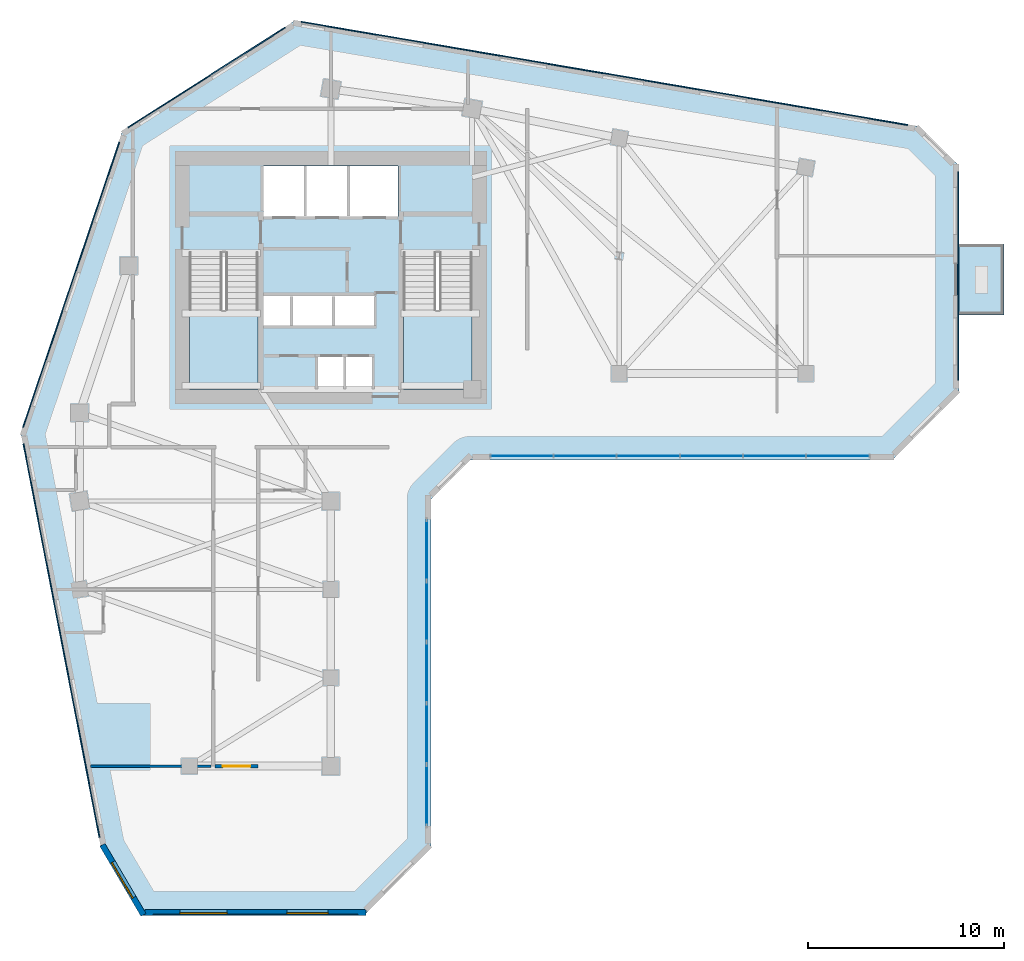
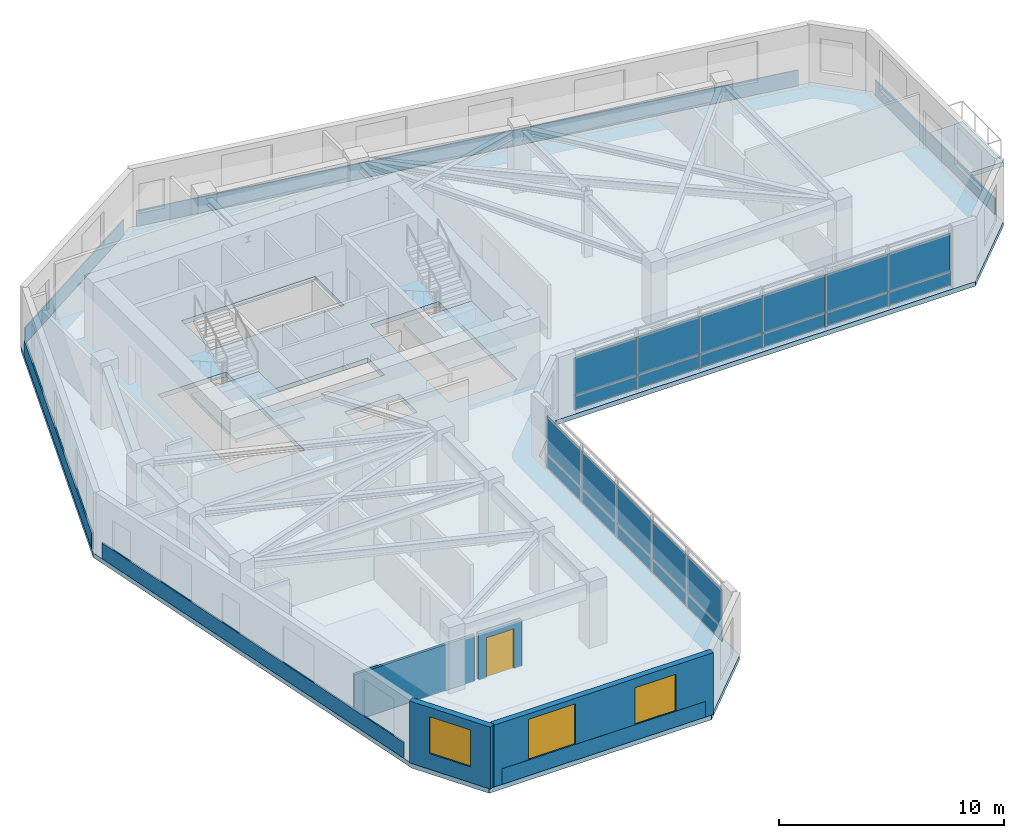
# One storey, part 4 of 13: 28 plates, 4 slabs, 4 walls, 3 windows, 1 door, 4 openings, 4 elements without a shape of their own.
"""IFC4 building model written with IfcOpenShell, lengths in metres."""

from ifc_helpers import new_model, si_unit, direction, frame, frame_2d, origin, place, context, subcontext, project, spatial, polyline, rectangle, outline, extrude, source, transform, mapped, material, layer, layer_set, type_object, element, fill, aggregate, save


model = new_model("IFC4")

# Units and contexts
model_context = context("Model", 3, precision=1e-05, world=origin(), true_north=direction((0.0, 1.0)))
body_context = subcontext(model_context, "Body", "Model", "MODEL_VIEW")
ifc_project = project(units=[si_unit("LENGTHUNIT", "METRE"), si_unit("AREAUNIT", "SQUARE_METRE"), si_unit("VOLUMEUNIT", "CUBIC_METRE"), si_unit("PLANEANGLEUNIT", "RADIAN"), si_unit("MASSUNIT", "GRAM", prefix="KILO")], contexts=[model_context])

# Site, building, storey
site_placement = place(None, origin())
site = spatial("IfcSite", under=ifc_project, at=site_placement, CompositionType="ELEMENT")
building_placement = place(site_placement, origin())
building = spatial("IfcBuilding", under=site, at=building_placement, Name="Calvemar Wedge Station Tower", CompositionType="ELEMENT")
storey_placement = place(building_placement, frame((0.0, 0.0, 132.199951171875)))
storey = spatial("IfcBuildingStorey", under=building, at=storey_placement, Name="L32", CompositionType="ELEMENT", Elevation=132.199951171875)

# Curtain wall, plates
ifc_material_1 = material(Name="Anodised aluminium 6063-T6", Category="aluminium")
curtain_wall_type = type_object("IfcCurtainWallType", Name="CW2", PredefinedType="NOTDEFINED", material=ifc_material_1)
curtain_wall_1_placement = place(storey_placement, origin())
curtain_wall_1 = element("IfcCurtainWall", 1, at=curtain_wall_1_placement, inside=storey, type_object=curtain_wall_type, Name="Storey L32 CW2 Recessed Unitised Curtain Wall 4", PredefinedType="NOTDEFINED")
ifc_material_2 = material(Name="Low-E laminated insulated glass", Category="glass")
ifc_layer_1 = layer(ifc_material_2, 0.028076171875)
ifc_layer_set_1 = layer_set([ifc_layer_1], Name="Low-E laminated insulated glass")
plate_type_1 = type_object("IfcPlateType", Name="CW2-GLZ", PredefinedType="CURTAIN_PANEL", material=ifc_layer_set_1)
plate_1_placement = place(storey_placement, frame((28.68603515625, 11.97998046875, 0.8701171875), z_axis=(0.0, 0.0, 1.0), x_axis=(0.0, 1.0, 0.0)))
plate_1 = element("IfcPlate", 2, at=plate_1_placement, type_object=plate_type_1, Name="CW2 vision glass panel 1", PredefinedType="CURTAIN_PANEL", context=body_context, shape_type="SweptSolid", body=[
    extrude(rectangle(XDim=3.08251953125, YDim=0.028076171875, at=frame_2d((1.541259765625, 0.0))), origin(), (0.0, 0.0, 1.0), 2.010009765625),
])
plate_2_placement = place(storey_placement, frame((28.68603515625, 15.098388671875, 0.8701171875), z_axis=(0.0, 0.0, 1.0), x_axis=(0.0, 1.0, 0.0)))
plate_2 = element("IfcPlate", 3, at=plate_2_placement, type_object=plate_type_1, Name="CW2 vision glass panel 2", PredefinedType="CURTAIN_PANEL", context=body_context, shape_type="SweptSolid", body=[
    extrude(rectangle(XDim=3.08251953125, YDim=0.028076171875, at=frame_2d((1.541259765625, 0.0))), origin(), (0.0, 0.0, 1.0), 2.010009765625),
])
plate_3_placement = place(storey_placement, frame((28.68603515625, 18.216796875, 0.8701171875), z_axis=(0.0, 0.0, 1.0), x_axis=(0.0, 1.0, 0.0)))
plate_3 = element("IfcPlate", 4, at=plate_3_placement, type_object=plate_type_1, Name="CW2 vision glass panel 3", PredefinedType="CURTAIN_PANEL", context=body_context, shape_type="SweptSolid", body=[
    extrude(rectangle(XDim=3.08251953125, YDim=0.028076171875, at=frame_2d((1.541259765625, 0.0))), origin(), (0.0, 0.0, 1.0), 2.010009765625),
])
plate_4_placement = place(storey_placement, frame((28.68603515625, 21.335205078125, 0.8701171875), z_axis=(0.0, 0.0, 1.0), x_axis=(0.0, 1.0, 0.0)))
plate_4 = element("IfcPlate", 5, at=plate_4_placement, type_object=plate_type_1, Name="CW2 vision glass panel 4", PredefinedType="CURTAIN_PANEL", context=body_context, shape_type="SweptSolid", body=[
    extrude(rectangle(XDim=3.08251953125, YDim=0.028076171875, at=frame_2d((1.541259765625, 0.0))), origin(), (0.0, 0.0, 1.0), 2.010009765625),
])
plate_5_placement = place(storey_placement, frame((28.68603515625, 24.45361328125, 0.8701171875), z_axis=(0.0, 0.0, 1.0), x_axis=(0.0, 1.0, 0.0)))
plate_5 = element("IfcPlate", 6, at=plate_5_placement, type_object=plate_type_1, Name="CW2 vision glass panel 5", PredefinedType="CURTAIN_PANEL", context=body_context, shape_type="SweptSolid", body=[
    extrude(rectangle(XDim=3.08251953125, YDim=0.028076171875, at=frame_2d((1.541259765625, 0.0))), origin(), (0.0, 0.0, 1.0), 2.010009765625),
])

curtain_wall_2_placement = place(storey_placement, origin())
curtain_wall_2 = element("IfcCurtainWall", 7, at=curtain_wall_2_placement, inside=storey, type_object=curtain_wall_type, Name="Storey L32 CW2 Recessed Unitised Curtain Wall 6", PredefinedType="NOTDEFINED")
plate_6_placement = place(storey_placement, frame((31.951904296875, 30.802001953125, 0.8701171875), z_axis=(0.0, 0.0, 1.0), x_axis=(1.0, 0.0, 0.0)))
plate_6 = element("IfcPlate", 8, at=plate_6_placement, type_object=plate_type_1, Name="CW2 vision glass panel 1", PredefinedType="CURTAIN_PANEL", context=body_context, shape_type="SweptSolid", body=[
    extrude(rectangle(XDim=3.181396484375, YDim=0.028076171875, at=frame_2d((1.5908203125, 0.0))), origin(), (0.0, 0.0, 1.0), 2.010009765625),
])
plate_7_placement = place(storey_placement, frame((35.169189453125, 30.802001953125, 0.8701171875), z_axis=(0.0, 0.0, 1.0), x_axis=(1.0, 0.0, 0.0)))
plate_7 = element("IfcPlate", 9, at=plate_7_placement, type_object=plate_type_1, Name="CW2 vision glass panel 2", PredefinedType="CURTAIN_PANEL", context=body_context, shape_type="SweptSolid", body=[
    extrude(rectangle(XDim=3.181396484375, YDim=0.028076171875, at=frame_2d((1.5908203125, 0.0))), origin(), (0.0, 0.0, 1.0), 2.010009765625),
])
plate_8_placement = place(storey_placement, frame((38.38671875, 30.802001953125, 0.8701171875), z_axis=(0.0, 0.0, 1.0), x_axis=(1.0, 0.0, 0.0)))
plate_8 = element("IfcPlate", 10, at=plate_8_placement, type_object=plate_type_1, Name="CW2 vision glass panel 3", PredefinedType="CURTAIN_PANEL", context=body_context, shape_type="SweptSolid", body=[
    extrude(rectangle(XDim=3.18115234375, YDim=0.028076171875, at=frame_2d((1.590576171875, 0.0))), origin(), (0.0, 0.0, 1.0), 2.010009765625),
])
plate_9_placement = place(storey_placement, frame((41.60400390625, 30.802001953125, 0.8701171875), z_axis=(0.0, 0.0, 1.0), x_axis=(1.0, 0.0, 0.0)))
plate_9 = element("IfcPlate", 11, at=plate_9_placement, type_object=plate_type_1, Name="CW2 vision glass panel 4", PredefinedType="CURTAIN_PANEL", context=body_context, shape_type="SweptSolid", body=[
    extrude(rectangle(XDim=3.18115234375, YDim=0.028076171875, at=frame_2d((1.590576171875, 0.0))), origin(), (0.0, 0.0, 1.0), 2.010009765625),
])
plate_10_placement = place(storey_placement, frame((44.8212890625, 30.802001953125, 0.8701171875), z_axis=(0.0, 0.0, 1.0), x_axis=(1.0, 0.0, 0.0)))
plate_10 = element("IfcPlate", 12, at=plate_10_placement, type_object=plate_type_1, Name="CW2 vision glass panel 5", PredefinedType="CURTAIN_PANEL", context=body_context, shape_type="SweptSolid", body=[
    extrude(rectangle(XDim=3.181396484375, YDim=0.028076171875, at=frame_2d((1.5908203125, 0.0))), origin(), (0.0, 0.0, 1.0), 2.010009765625),
])
plate_11_placement = place(storey_placement, frame((48.03857421875, 30.802001953125, 0.8701171875), z_axis=(0.0, 0.0, 1.0), x_axis=(1.0, 0.0, 0.0)))
plate_11 = element("IfcPlate", 13, at=plate_11_placement, type_object=plate_type_1, Name="CW2 vision glass panel 6", PredefinedType="CURTAIN_PANEL", context=body_context, shape_type="SweptSolid", body=[
    extrude(rectangle(XDim=3.181396484375, YDim=0.028076171875, at=frame_2d((1.5908203125, 0.0))), origin(), (0.0, 0.0, 1.0), 2.010009765625),
])

# Plate
ifc_material_3 = material(Name="Oxidized bronze aluminium spandrel panel 5005-H24", Category="aluminium")
ifc_layer_2 = layer(ifc_material_3, 0.0400390625)
ifc_layer_set_2 = layer_set([ifc_layer_2], Name="Oxidized bronze aluminium spandrel panel 5005-H24")
plate_type_2 = type_object("IfcPlateType", Name="CW2-SPD", PredefinedType="SHEET", material=ifc_layer_set_2)
plate_12_placement = place(storey_placement, frame((28.68603515625, 11.97998046875, 0.080078125), z_axis=(0.0, 0.0, 1.0), x_axis=(0.0, 1.0, 0.0)))
plate_12 = element("IfcPlate", 14, at=plate_12_placement, type_object=plate_type_2, Name="CW2 bronze spandrel panel 1", PredefinedType="SHEET", context=body_context, shape_type="SweptSolid", body=[
    extrude(rectangle(XDim=3.08251953125, YDim=0.0400390625, at=frame_2d((1.541259765625, 0.0))), origin(), (0.0, 0.0, 1.0), 0.75),
])

plate_13_placement = place(storey_placement, frame((28.68603515625, 15.098388671875, 0.080078125), z_axis=(0.0, 0.0, 1.0), x_axis=(0.0, 1.0, 0.0)))
plate_13 = element("IfcPlate", 15, at=plate_13_placement, type_object=plate_type_2, Name="CW2 bronze spandrel panel 2", PredefinedType="SHEET", context=body_context, shape_type="SweptSolid", body=[
    extrude(rectangle(XDim=3.08251953125, YDim=0.0400390625, at=frame_2d((1.541259765625, 0.0))), origin(), (0.0, 0.0, 1.0), 0.75),
])

plate_14_placement = place(storey_placement, frame((28.68603515625, 18.216796875, 0.080078125), z_axis=(0.0, 0.0, 1.0), x_axis=(0.0, 1.0, 0.0)))
plate_14 = element("IfcPlate", 16, at=plate_14_placement, type_object=plate_type_2, Name="CW2 bronze spandrel panel 3", PredefinedType="SHEET", context=body_context, shape_type="SweptSolid", body=[
    extrude(rectangle(XDim=3.08251953125, YDim=0.0400390625, at=frame_2d((1.541259765625, 0.0))), origin(), (0.0, 0.0, 1.0), 0.75),
])

plate_15_placement = place(storey_placement, frame((28.68603515625, 21.335205078125, 0.080078125), z_axis=(0.0, 0.0, 1.0), x_axis=(0.0, 1.0, 0.0)))
plate_15 = element("IfcPlate", 17, at=plate_15_placement, type_object=plate_type_2, Name="CW2 bronze spandrel panel 4", PredefinedType="SHEET", context=body_context, shape_type="SweptSolid", body=[
    extrude(rectangle(XDim=3.08251953125, YDim=0.0400390625, at=frame_2d((1.541259765625, 0.0))), origin(), (0.0, 0.0, 1.0), 0.75),
])

plate_16_placement = place(storey_placement, frame((28.68603515625, 24.45361328125, 0.080078125), z_axis=(0.0, 0.0, 1.0), x_axis=(0.0, 1.0, 0.0)))
plate_16 = element("IfcPlate", 18, at=plate_16_placement, type_object=plate_type_2, Name="CW2 bronze spandrel panel 5", PredefinedType="SHEET", context=body_context, shape_type="SweptSolid", body=[
    extrude(rectangle(XDim=3.08251953125, YDim=0.0400390625, at=frame_2d((1.541259765625, 0.0))), origin(), (0.0, 0.0, 1.0), 0.75),
])

aggregate(curtain_wall_1, [plate_12, plate_1, plate_13, plate_2, plate_14, plate_3, plate_15, plate_4, plate_16, plate_5])

plate_17_placement = place(storey_placement, frame((31.951904296875, 30.802001953125, 0.080078125), z_axis=(0.0, 0.0, 1.0), x_axis=(1.0, 0.0, 0.0)))
plate_17 = element("IfcPlate", 19, at=plate_17_placement, type_object=plate_type_2, Name="CW2 bronze spandrel panel 1", PredefinedType="SHEET", context=body_context, shape_type="SweptSolid", body=[
    extrude(rectangle(XDim=3.181396484375, YDim=0.0400390625, at=frame_2d((1.5908203125, 0.0))), origin(), (0.0, 0.0, 1.0), 0.75),
])

plate_18_placement = place(storey_placement, frame((35.169189453125, 30.802001953125, 0.080078125), z_axis=(0.0, 0.0, 1.0), x_axis=(1.0, 0.0, 0.0)))
plate_18 = element("IfcPlate", 20, at=plate_18_placement, type_object=plate_type_2, Name="CW2 bronze spandrel panel 2", PredefinedType="SHEET", context=body_context, shape_type="SweptSolid", body=[
    extrude(rectangle(XDim=3.181396484375, YDim=0.0400390625, at=frame_2d((1.5908203125, 0.0))), origin(), (0.0, 0.0, 1.0), 0.75),
])

plate_19_placement = place(storey_placement, frame((38.38671875, 30.802001953125, 0.080078125), z_axis=(0.0, 0.0, 1.0), x_axis=(1.0, 0.0, 0.0)))
plate_19 = element("IfcPlate", 21, at=plate_19_placement, type_object=plate_type_2, Name="CW2 bronze spandrel panel 3", PredefinedType="SHEET", context=body_context, shape_type="SweptSolid", body=[
    extrude(rectangle(XDim=3.18115234375, YDim=0.0400390625, at=frame_2d((1.590576171875, 0.0))), origin(), (0.0, 0.0, 1.0), 0.75),
])

plate_20_placement = place(storey_placement, frame((41.60400390625, 30.802001953125, 0.080078125), z_axis=(0.0, 0.0, 1.0), x_axis=(1.0, 0.0, 0.0)))
plate_20 = element("IfcPlate", 22, at=plate_20_placement, type_object=plate_type_2, Name="CW2 bronze spandrel panel 4", PredefinedType="SHEET", context=body_context, shape_type="SweptSolid", body=[
    extrude(rectangle(XDim=3.18115234375, YDim=0.0400390625, at=frame_2d((1.590576171875, 0.0))), origin(), (0.0, 0.0, 1.0), 0.75),
])

plate_21_placement = place(storey_placement, frame((44.8212890625, 30.802001953125, 0.080078125), z_axis=(0.0, 0.0, 1.0), x_axis=(1.0, 0.0, 0.0)))
plate_21 = element("IfcPlate", 23, at=plate_21_placement, type_object=plate_type_2, Name="CW2 bronze spandrel panel 5", PredefinedType="SHEET", context=body_context, shape_type="SweptSolid", body=[
    extrude(rectangle(XDim=3.181396484375, YDim=0.0400390625, at=frame_2d((1.5908203125, 0.0))), origin(), (0.0, 0.0, 1.0), 0.75),
])

plate_22_placement = place(storey_placement, frame((48.03857421875, 30.802001953125, 0.080078125), z_axis=(0.0, 0.0, 1.0), x_axis=(1.0, 0.0, 0.0)))
plate_22 = element("IfcPlate", 24, at=plate_22_placement, type_object=plate_type_2, Name="CW2 bronze spandrel panel 6", PredefinedType="SHEET", context=body_context, shape_type="SweptSolid", body=[
    extrude(rectangle(XDim=3.181396484375, YDim=0.0400390625, at=frame_2d((1.5908203125, 0.0))), origin(), (0.0, 0.0, 1.0), 0.75),
])

aggregate(curtain_wall_2, [plate_17, plate_6, plate_18, plate_7, plate_19, plate_8, plate_20, plate_9, plate_21, plate_10, plate_22, plate_11])

# Plates
ifc_material_4 = material(Name="Precast concrete C45", Category="concrete")
ifc_layer_3 = layer(ifc_material_4, 0.06494140625)
ifc_layer_set_3 = layer_set([ifc_layer_3], Name="Precast concrete C45")
plate_type_3 = type_object("IfcPlateType", Name="PL-GFRC-FIN", PredefinedType="USERDEFINED", material=ifc_layer_set_3)
plate_23_placement = place(storey_placement, frame((14.74169921875, 7.429931640625, 0.0), z_axis=(0.0, 0.0, 1.0), x_axis=(1.0, 0.0, 0.0)))
element("IfcPlate", 25, at=plate_23_placement, inside=storey, type_object=plate_type_3, Name="Storey L32 Oxidized-Bronze GFRC Spandrel Cladding 2", ObjectType="CLADDING PANEL", PredefinedType="USERDEFINED", context=body_context, shape_type="SweptSolid", body=[
    extrude(rectangle(XDim=10.442138671875, YDim=0.06494140625, at=frame_2d((5.22119140625, 0.0))), origin(), (0.0, 0.0, 1.0), 0.85009765625),
])
plate_24_placement = place(storey_placement, frame((55.77001953125, 34.6494140625, 0.0), z_axis=(0.0, 0.0, 1.0), x_axis=(0.0, 1.0, 0.0)))
element("IfcPlate", 26, at=plate_24_placement, inside=storey, type_object=plate_type_3, Name="Storey L32 Oxidized-Bronze GFRC Spandrel Cladding 8", ObjectType="CLADDING PANEL", PredefinedType="USERDEFINED", context=body_context, shape_type="SweptSolid", body=[
    extrude(rectangle(XDim=10.63037109375, YDim=0.06494140625, at=frame_2d((5.315185546875, 0.0))), origin(), (0.0, 0.0, 1.0), 0.85009765625),
])
plate_25_placement = place(storey_placement, frame((53.186767578125, 47.666015625, 0.0), z_axis=(0.0, 0.0, 1.0), x_axis=(-0.985847129316, 0.167646764417, 0.0)))
element("IfcPlate", 27, at=plate_25_placement, inside=storey, type_object=plate_type_3, Name="Storey L32 Oxidized-Bronze GFRC Spandrel Cladding 10", ObjectType="CLADDING PANEL", PredefinedType="USERDEFINED", context=body_context, shape_type="SweptSolid", body=[
    extrude(rectangle(XDim=31.331787109375, YDim=0.06494140625, at=frame_2d((15.666015625, 0.0))), origin(), (0.0, 0.0, 1.0), 0.85009765625),
])
plate_26_placement = place(storey_placement, frame((21.472900390625, 52.62890625, 0.0), z_axis=(0.0, 0.0, 1.0), x_axis=(-0.843667847652, -0.536865497903, 0.0)))
element("IfcPlate", 28, at=plate_26_placement, inside=storey, type_object=plate_type_3, Name="Storey L32 Oxidized-Bronze GFRC Spandrel Cladding 11", ObjectType="CLADDING PANEL", PredefinedType="USERDEFINED", context=body_context, shape_type="SweptSolid", body=[
    extrude(rectangle(XDim=9.48388671875, YDim=0.06494140625, at=frame_2d((4.741943359375, 0.0))), origin(), (0.0, 0.0, 1.0), 0.85009765625),
])
plate_27_placement = place(storey_placement, frame((13.02685546875, 46.793212890625, 0.0), z_axis=(0.0, 0.0, 1.0), x_axis=(-0.319922287139, -0.947443787352, 0.0)))
element("IfcPlate", 29, at=plate_27_placement, inside=storey, type_object=plate_type_3, Name="Storey L32 Oxidized-Bronze GFRC Spandrel Cladding 12", ObjectType="CLADDING PANEL", PredefinedType="USERDEFINED", context=body_context, shape_type="SweptSolid", body=[
    extrude(rectangle(XDim=15.334228515625, YDim=0.06494140625, at=frame_2d((7.6669921875, 0.0))), origin(), (0.0, 0.0, 1.0), 0.85009765625),
])
plate_28_placement = place(storey_placement, frame((8.14306640625, 31.418212890625, 0.0), z_axis=(0.0, 0.0, 1.0), x_axis=(0.189692918469, -0.981843468524, 0.0)))
element("IfcPlate", 30, at=plate_28_placement, inside=storey, type_object=plate_type_3, Name="Storey L32 Oxidized-Bronze GFRC Spandrel Cladding 13", ObjectType="CLADDING PANEL", PredefinedType="USERDEFINED", context=body_context, shape_type="SweptSolid", body=[
    extrude(rectangle(XDim=20.42138671875, YDim=0.06494140625, at=frame_2d((10.210693359375, 0.0))), origin(), (0.0, 0.0, 1.0), 0.85009765625),
])

# Stair, slab
ifc_material_5 = material(Name="Concrete C45", Category="concrete")
stair_type = type_object("IfcStairType", Name="ST-TYPE-3600", PredefinedType="HALF_TURN_STAIR", material=ifc_material_5)
stair_1_placement = place(storey_placement, origin())
stair_1 = element("IfcStair", 31, at=stair_1_placement, inside=storey, type_object=stair_type, Name="L32 Pressurized Core Exit Stair ST-C1", PredefinedType="HALF_TURN_STAIR")
ifc_layer_4 = layer(ifc_material_5, 0.199951171875)
ifc_layer_set_4 = layer_set([ifc_layer_4], Name="Concrete C45")
slab_type_1 = type_object("IfcSlabType", Name="SL-STAIR-LND-200", PredefinedType="LANDING", material=ifc_layer_set_4)
slab_1_placement = place(storey_placement, frame((0.0, 0.0, 1.60009765625)))
slab_1 = element("IfcSlab", 32, at=slab_1_placement, type_object=slab_type_1, Name="ST-C1 landing 1", PredefinedType="LANDING", context=body_context, shape_type="SweptSolid", body=[
    extrude(outline(polyline([(16.60009765625, 38.25), (16.60009765625, 34.199951171875), (20.10009765625, 34.199951171875), (20.10009765625, 38.25), (16.60009765625, 38.25)])), origin(), (0.0, 0.0, 1.0), 0.199951171875),
])
aggregate(stair_1, [slab_1])

stair_2_placement = place(storey_placement, origin())
stair_2 = element("IfcStair", 33, at=stair_2_placement, inside=storey, type_object=stair_type, Name="L32 Pressurized Core Exit Stair ST-C2", PredefinedType="HALF_TURN_STAIR")
slab_2_placement = place(storey_placement, frame((0.0, 0.0, 1.60009765625)))
slab_2 = element("IfcSlab", 34, at=slab_2_placement, type_object=slab_type_1, Name="ST-C2 landing 1", PredefinedType="LANDING", context=body_context, shape_type="SweptSolid", body=[
    extrude(outline(polyline([(27.5, 38.25), (27.5, 34.199951171875), (31.0, 34.199951171875), (31.0, 38.25), (27.5, 38.25)])), origin(), (0.0, 0.0, 1.0), 0.199951171875),
])
aggregate(stair_2, [slab_2])

# Slabs
ifc_layer_5 = layer(ifc_material_5, 0.239990234375)
ifc_layer_set_5 = layer_set([ifc_layer_5], Name="Concrete C45")
slab_type_2 = type_object("IfcSlabType", Name="SL-TERR-240", PredefinedType="FLOOR", material=ifc_layer_set_5)
slab_3_placement = place(storey_placement, frame((0.0, 0.0, -0.239990234375)))
element("IfcSlab", 35, at=slab_3_placement, inside=storey, type_object=slab_type_2, Name="Storey L32 Planted Spiral Terrace Slab", PredefinedType="FLOOR", context=body_context, shape_type="SweptSolid", body=[
    extrude(outline(polyline([(55.800048828125, 37.991943359375), (58.10009765625, 37.991943359375), (58.10009765625, 41.592041015625), (55.800048828125, 41.592041015625), (55.800048828125, 37.991943359375)])), origin(), (0.0, 0.0, 1.0), 0.239990234375),
])
ifc_material_6 = material(Name="Concrete C50", Category="concrete")
ifc_layer_6 = layer(ifc_material_6, 0.25)
ifc_layer_set_6 = layer_set([ifc_layer_6], Name="Concrete C50")
slab_type_3 = type_object("IfcSlabType", Name="SL-TYP-250", PredefinedType="FLOOR", material=ifc_layer_set_6)
slab_4_placement = place(storey_placement, frame((0.0, 0.0, -0.25)))
element("IfcSlab", 36, at=slab_4_placement, inside=storey, type_object=slab_type_3, Name="Storey L32 Structural Floor Slab", PredefinedType="FLOOR", context=body_context, shape_type="SweptSolid", body=[
    extrude(outline(polyline([(8.0, 32.0), (12.095947265625, 10.800048828125), (14.095947265625, 7.39990234375), (25.49609375, 7.39990234375), (28.89599609375, 10.800048828125), (28.89599609375, 28.592041015625), (30.89599609375, 30.592041015625), (52.39990234375, 30.592041015625), (55.800048828125, 33.991943359375), (55.800048828125, 45.592041015625), (53.800048828125, 47.592041015625), (22.0, 53.0), (13.199951171875, 47.39990234375), (8.0, 32.0)]), holes=[polyline([(24.52001953125, 35.85009765625), (24.510009765625, 35.85009765625), (23.1201171875, 35.85009765625), (23.1201171875, 34.219970703125), (24.510009765625, 34.219970703125), (24.52001953125, 34.219970703125), (25.909912109375, 34.219970703125), (25.909912109375, 35.85009765625), (24.52001953125, 35.85009765625)]), polyline([(16.60009765625, 34.199951171875), (20.10009765625, 34.199951171875), (20.10009765625, 41.14990234375), (16.60009765625, 41.14990234375), (16.60009765625, 34.199951171875)]), polyline([(27.5, 34.199951171875), (31.0, 34.199951171875), (31.0, 41.14990234375), (27.5, 41.14990234375), (27.5, 34.199951171875)]), polyline([(21.800048828125, 38.949951171875), (21.7900390625, 38.949951171875), (20.3798828125, 38.949951171875), (20.3798828125, 37.449951171875), (21.7900390625, 37.449951171875), (21.800048828125, 37.449951171875), (23.929931640625, 37.449951171875), (23.93994140625, 37.449951171875), (26.080078125, 37.449951171875), (26.080078125, 38.949951171875), (23.93994140625, 38.949951171875), (23.929931640625, 38.949951171875), (21.800048828125, 38.949951171875)]), polyline([(27.219970703125, 43.0), (27.219970703125, 45.580078125), (20.3798828125, 45.580078125), (20.3798828125, 43.0), (27.219970703125, 43.0)])]), origin(), (0.0, 0.0, 1.0), 0.25),
])

# Wall, opening, door
ifc_material_7 = material(Name="Double-stud fire-rated corridor partition")
ifc_layer_7 = layer(ifc_material_7, 0.179931640625)
ifc_layer_set_7 = layer_set([ifc_layer_7], Name="Double-stud fire-rated corridor partition")
wall_type_1 = type_object("IfcWallType", Name="W-CORR-180", PredefinedType="PARTITIONING", material=ifc_layer_set_7)
wall_1_placement = place(storey_placement, frame((20.10009765625, 15.0, 0.0), z_axis=(0.0, 0.0, 1.0), x_axis=(-1.0, 0.0, 0.0)))
wall_1 = element("IfcWall", 37, at=wall_1_placement, inside=storey, type_object=wall_type_1, Name="Storey L32 Interior Partition WL-L32-026", PredefinedType="PARTITIONING", context=body_context, shape_type="SweptSolid", body=[
    extrude(rectangle(XDim=2.2060546875, YDim=0.179931640625, at=frame_2d((1.10302734375, 0.0))), origin(), (0.0, 0.0, 1.0), 2.491943359375),
])
shared_shape_1 = source(origin(), body_context, "Body", "SweptSolid", [
    extrude(rectangle(XDim=1.39990234375, YDim=2.14990234375, at=frame_2d((0.699951171875, 1.074951171875))), frame((0.0, 0.10009765625, 0.0), z_axis=(0.0, -1.0, 0.0), x_axis=(1.0, 0.0, 0.0)), (0.0, 0.0, 1.0), 0.199951171875),
])
opening_1_placement = place(wall_1_placement, frame((0.403076171875, 0.0, 0.0)))
opening_1 = element("IfcOpeningElement", 38, at=opening_1_placement, cuts=wall_1, Name="Opening DD-140", PredefinedType="OPENING", context=body_context, shape_type="MappedRepresentation", body=[
    mapped(shared_shape_1, transform((0.0, 0.0, 0.0), scale=1.0)),
])
ifc_material_8 = material(Name="Double-leaf corridor acoustic fire door EI 60")
door_type = type_object("IfcDoorType", Name="DR-DBL-1400", OperationType="DOUBLE_DOOR_SINGLE_SWING", PredefinedType="DOOR", material=ifc_material_8)
shared_shape_2 = source(origin(), body_context, "Body", "SweptSolid", [
    extrude(rectangle(XDim=1.39990234375, YDim=2.14990234375, at=frame_2d((0.699951171875, 1.074951171875))), frame((0.0, 0.02490234375, 0.0), z_axis=(0.0, -1.0, 0.0), x_axis=(1.0, 0.0, 0.0)), (0.0, 0.0, 1.0), 0.050048828125),
])
door_placement = place(opening_1_placement, origin())
door = element("IfcDoor", 39, at=door_placement, inside=storey, type_object=door_type, Name="L32 Executive Sky Lounge Door", OperationType="SINGLE_SWING_RIGHT", OverallHeight=2.14990234375, OverallWidth=1.39990234375, PredefinedType="DOOR", context=body_context, shape_type="MappedRepresentation", body=[
    mapped(shared_shape_2, transform((0.0, 0.0, 0.0), scale=1.0)),
])
fill(opening_1, door)

# Wall, opening, window
ifc_layer_8 = layer(ifc_material_4, 0.300048828125)
ifc_layer_set_8 = layer_set([ifc_layer_8], Name="Precast concrete C45")
wall_type_2 = type_object("IfcWallType", Name="W-EXT-GFRC-300", PredefinedType="SOLIDWALL", material=ifc_layer_set_8)
wall_2_placement = place(storey_placement, frame((12.162353515625, 10.983154296875, 0.0), z_axis=(0.0, 0.0, 1.0), x_axis=(0.506996893234, -0.861947881401, 0.0)))
wall_2 = element("IfcWall", 40, at=wall_2_placement, inside=storey, type_object=wall_type_2, Name="Storey L32 Bronze GFRC Exterior Wall 1", PredefinedType="SOLIDWALL", context=body_context, shape_type="SweptSolid", body=[
    extrude(rectangle(XDim=4.133056640625, YDim=0.300048828125, at=frame_2d((2.06640625, 0.0))), origin(), (0.0, 0.0, 1.0), 3.35009765625),
])
shared_shape_3 = source(origin(), body_context, "Body", "SweptSolid", [
    extrude(rectangle(XDim=2.10009765625, YDim=2.0, at=frame_2d((1.050048828125, 1.0))), frame((0.0, 0.16015625, 0.0), z_axis=(0.0, -1.0, 0.0), x_axis=(1.0, 0.0, 0.0)), (0.0, 0.0, 1.0), 0.320068359375),
])
opening_2_placement = place(wall_2_placement, frame((1.01708984375, 0.0, 0.85009765625)))
opening_2 = element("IfcOpeningElement", 41, at=opening_2_placement, cuts=wall_2, Name="Opening W4", PredefinedType="OPENING", context=body_context, shape_type="MappedRepresentation", body=[
    mapped(shared_shape_3, transform((0.0, 0.0, 0.0), scale=1.0)),
])
window_type_1 = type_object("IfcWindowType", Name="WIN-EXT-4", PartitioningType="SINGLE_PANEL", PredefinedType="WINDOW", material=ifc_material_2)
shared_shape_4 = source(origin(), body_context, "Body", "SweptSolid", [
    extrude(rectangle(XDim=2.10009765625, YDim=2.0, at=frame_2d((1.050048828125, 1.0))), frame((0.0, -0.014892578125, 0.0), z_axis=(0.0, -1.0, 0.0), x_axis=(1.0, 0.0, 0.0)), (0.0, 0.0, 1.0), 0.06005859375),
])
window_1_placement = place(opening_2_placement, origin())
window_1 = element("IfcWindow", 42, at=window_1_placement, inside=storey, type_object=window_type_1, Name="Storey L32 Recessed Window 1.1", OverallHeight=2.0, OverallWidth=2.10009765625, PartitioningType="SINGLE_PANEL", PredefinedType="WINDOW", context=body_context, shape_type="MappedRepresentation", body=[
    mapped(shared_shape_4, transform((0.0, 0.0, 0.0), scale=1.0)),
])
fill(opening_2, window_1)

# Wall, openings, windows
wall_3_placement = place(storey_placement, frame((14.341796875, 7.550048828125, 0.0), z_axis=(0.0, 0.0, 1.0), x_axis=(1.0, 0.0, 0.0)))
wall_3 = element("IfcWall", 43, at=wall_3_placement, inside=storey, type_object=wall_type_2, Name="Storey L32 Bronze GFRC Exterior Wall 2", PredefinedType="SOLIDWALL", context=body_context, shape_type="SweptSolid", body=[
    extrude(rectangle(XDim=11.2421875, YDim=0.300048828125, at=frame_2d((5.62109375, 0.0))), origin(), (0.0, 0.0, 1.0), 3.35009765625),
])
shared_shape_5 = source(origin(), body_context, "Body", "SweptSolid", [
    extrude(rectangle(XDim=2.39990234375, YDim=2.199951171875, at=frame_2d((1.199951171875, 1.10009765625))), frame((0.0, 0.16015625, 0.0), z_axis=(0.0, -1.0, 0.0), x_axis=(1.0, 0.0, 0.0)), (0.0, 0.0, 1.0), 0.320068359375),
])
opening_3_placement = place(wall_3_placement, frame((1.77099609375, 0.0, 0.85009765625)))
opening_3 = element("IfcOpeningElement", 44, at=opening_3_placement, cuts=wall_3, Name="Opening W1", PredefinedType="OPENING", context=body_context, shape_type="MappedRepresentation", body=[
    mapped(shared_shape_5, transform((0.0, 0.0, 0.0), scale=1.0)),
])
opening_4_placement = place(wall_3_placement, frame((7.221923828125, 0.0, 0.85009765625)))
opening_4 = element("IfcOpeningElement", 45, at=opening_4_placement, cuts=wall_3, Name="Opening W4", PredefinedType="OPENING", context=body_context, shape_type="MappedRepresentation", body=[
    mapped(shared_shape_3, transform((0.0, 0.0, 0.0), scale=1.0)),
])
window_2_placement = place(opening_4_placement, origin())
window_2 = element("IfcWindow", 46, at=window_2_placement, inside=storey, type_object=window_type_1, Name="Storey L32 Recessed Window 2.2", OverallHeight=2.0, OverallWidth=2.10009765625, PartitioningType="SINGLE_PANEL", PredefinedType="WINDOW", context=body_context, shape_type="MappedRepresentation", body=[
    mapped(shared_shape_4, transform((0.0, 0.0, 0.0), scale=1.0)),
])
fill(opening_4, window_2)
window_type_2 = type_object("IfcWindowType", Name="WIN-EXT-1", PartitioningType="SINGLE_PANEL", PredefinedType="WINDOW", material=ifc_material_2)
shared_shape_6 = source(origin(), body_context, "Body", "SweptSolid", [
    extrude(rectangle(XDim=2.39990234375, YDim=2.199951171875, at=frame_2d((1.199951171875, 1.10009765625))), frame((0.0, -0.014892578125, 0.0), z_axis=(0.0, -1.0, 0.0), x_axis=(1.0, 0.0, 0.0)), (0.0, 0.0, 1.0), 0.06005859375),
])
window_3_placement = place(opening_3_placement, origin())
window_3 = element("IfcWindow", 47, at=window_3_placement, inside=storey, type_object=window_type_2, Name="Storey L32 Recessed Window 2.1", OverallHeight=2.199951171875, OverallWidth=2.39990234375, PartitioningType="SINGLE_PANEL", PredefinedType="WINDOW", context=body_context, shape_type="MappedRepresentation", body=[
    mapped(shared_shape_6, transform((0.0, 0.0, 0.0), scale=1.0)),
])
fill(opening_3, window_3)

# Wall
ifc_material_9 = material(Name="Insulated acoustic gypsum stud partition")
ifc_layer_9 = layer(ifc_material_9, 0.125)
ifc_layer_set_9 = layer_set([ifc_layer_9], Name="Insulated acoustic gypsum stud partition")
wall_type_3 = type_object("IfcWallType", Name="W-PART-125", PredefinedType="PARTITIONING", material=ifc_layer_set_9)
wall_4_placement = place(storey_placement, frame((17.7060546875, 15.0, 0.0), z_axis=(0.0, 0.0, 1.0), x_axis=(-1.0, 0.0, 0.0)))
element("IfcWall", 48, at=wall_4_placement, inside=storey, type_object=wall_type_3, Name="Storey L32 Interior Partition WL-L32-033", PredefinedType="PARTITIONING", context=body_context, shape_type="SweptSolid", body=[
    extrude(rectangle(XDim=6.151611328125, YDim=0.125, at=frame_2d((3.07568359375, 0.0))), origin(), (0.0, 0.0, 1.0), 2.491943359375),
])

save(model, "model.ifc")
